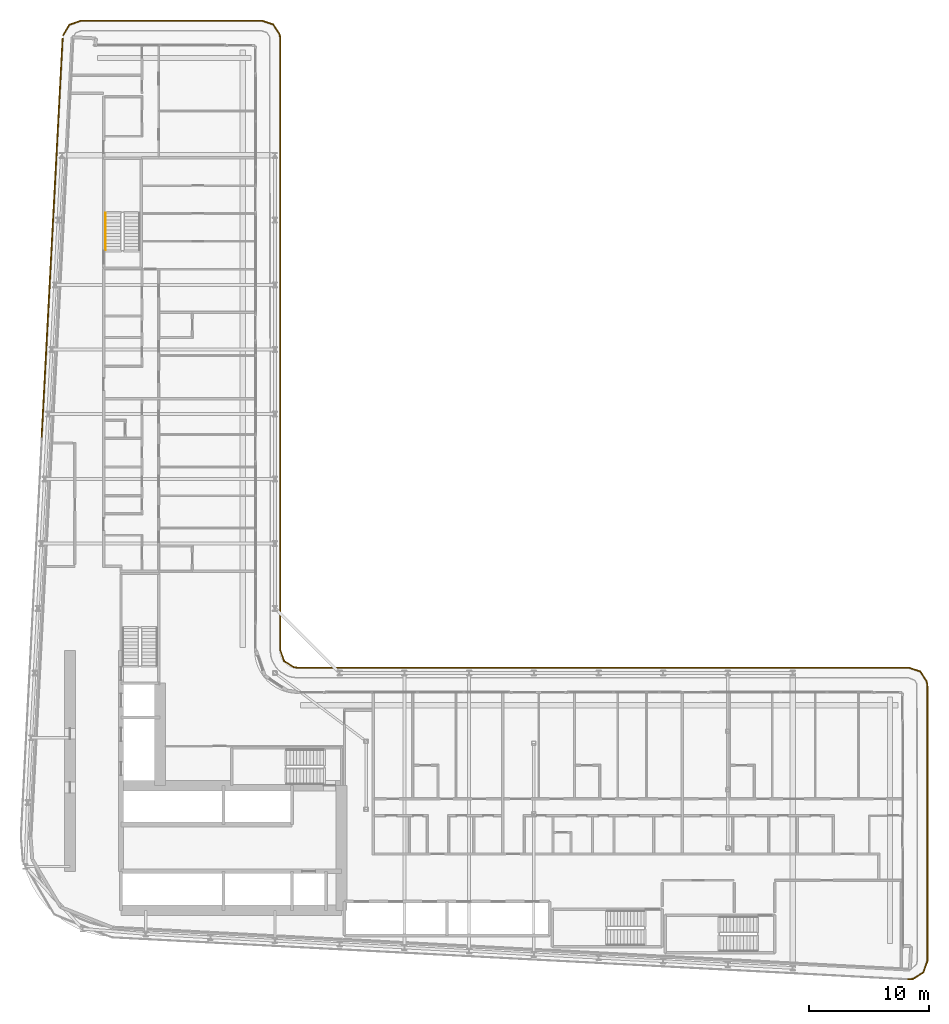
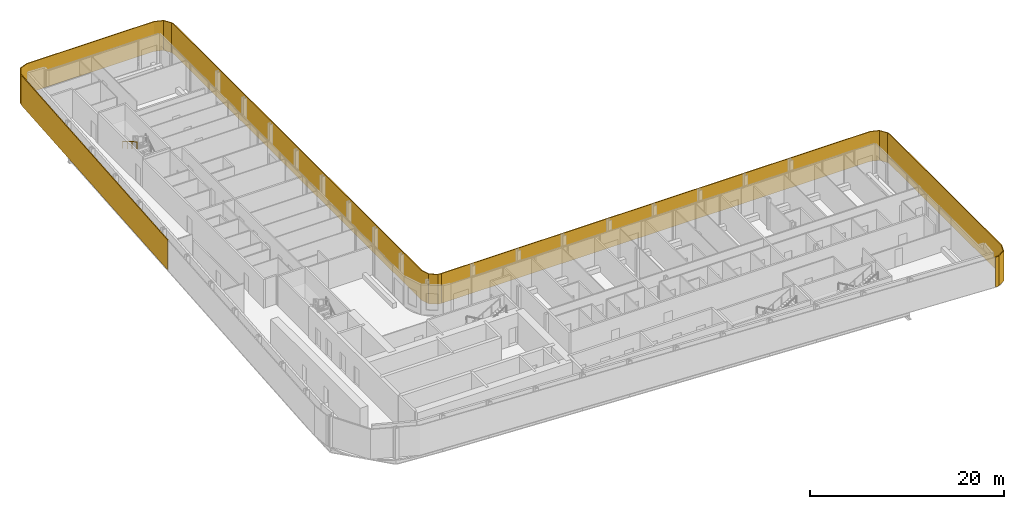
# One storey, part 27 of 29: 3 shading devices, 1 railing.
"""IFC4 building model written with IfcOpenShell, lengths in metres."""

from ifc_helpers import new_model, si_unit, direction, frame, origin, origin_2d, place, context, subcontext, project, spatial, polyline, rectangle, circle, outline, extrude, material, layer, layer_set, type_object, element, save


model = new_model("IFC4")

# Units and contexts
model_context = context("Model", 3, precision=1e-05, world=origin(), true_north=direction((0.0, 1.0)))
body_context = subcontext(model_context, "Body", "Model", "MODEL_VIEW")
ifc_project = project(units=[si_unit("LENGTHUNIT", "METRE"), si_unit("AREAUNIT", "SQUARE_METRE"), si_unit("VOLUMEUNIT", "CUBIC_METRE"), si_unit("PLANEANGLEUNIT", "RADIAN"), si_unit("MASSUNIT", "GRAM", prefix="KILO")], contexts=[model_context])

# Site, building, storey
site_placement = place(None, origin())
site = spatial("IfcSite", under=ifc_project, at=site_placement, CompositionType="ELEMENT")
building_placement = place(site_placement, origin())
building = spatial("IfcBuilding", under=site, at=building_placement, Name="Kheshtan School and Residences Tower", CompositionType="ELEMENT")
storey_placement = place(building_placement, frame((0.0, 0.0, 117.5)))
storey = spatial("IfcBuildingStorey", under=building, at=storey_placement, Name="L27", CompositionType="ELEMENT", Elevation=117.5)

# Shading devices
ifc_material_1 = material(Name="Terracotta baguette, extruded ceramic", Category="masonry")
ifc_layer_1 = layer(ifc_material_1, 0.10009765625)
ifc_layer_set_1 = layer_set([ifc_layer_1], Name="Ledge screen, terracotta baguettes")
shading_device_type_1 = type_object("IfcShadingDeviceType", Name="Ledge screen, terracotta baguettes", PredefinedType="USERDEFINED", material=ifc_layer_set_1)
shading_device_1_placement = place(storey_placement, frame((28.9990234375, 81.93408203125, 0.0), z_axis=(0.0, 0.0, 1.0), x_axis=(0.052562536748, 0.998617634398, 0.0)))
element("IfcShadingDevice", 1, at=shading_device_1_placement, inside=storey, type_object=shading_device_type_1, Name="Screen L27 5", ObjectType="BAGUETTE", PredefinedType="USERDEFINED", context=body_context, shape_type="SweptSolid", body=[
    extrude(rectangle(XDim=33.341064453125, YDim=0.10009765625, at=origin_2d()), origin(), (0.0, 0.0, 1.0), 3.75),
])
ifc_material_2 = material(Name="Terracotta lattice, extruded ceramic", Category="masonry")
ifc_layer_2 = layer(ifc_material_2, 0.10009765625)
ifc_layer_set_2 = layer_set([ifc_layer_2], Name="Loggia screen, terracotta lattice")
shading_device_type_2 = type_object("IfcShadingDeviceType", Name="Loggia screen, terracotta lattice", PredefinedType="USERDEFINED", material=ifc_layer_set_2)
shading_device_2_placement = place(storey_placement, origin())
element("IfcShadingDevice", 2, at=shading_device_2_placement, inside=storey, type_object=shading_device_type_2, Name="Screen L27 1", ObjectType="SCREEN", PredefinedType="USERDEFINED", context=body_context, shape_type="SweptSolid", body=[
    extrude(outline(polyline([(29.949951171875, 98.783935546875), (30.468017578125, 99.656982421875), (31.423095703125, 100.0), (46.5, 100.0), (47.4130859375, 99.68994140625), (47.948974609375, 98.887939453125), (48.0, 98.5), (48.0, 47.5), (48.31005859375, 46.5869140625), (49.112060546875, 46.051025390625), (49.5, 46.0), (49.512939453125, 46.09912109375), (49.14794921875, 46.14697265625), (48.39404296875, 46.65087890625), (48.10009765625, 47.51708984375), (48.10009765625, 98.507080078125), (48.044921875, 98.924072265625), (47.47705078125, 99.77392578125), (46.51708984375, 100.10009765625), (31.406005859375, 100.10009765625), (30.39990234375, 99.739013671875), (29.864013671875, 98.8349609375), (29.949951171875, 98.783935546875)])), origin(), (0.0, 0.0, 1.0), 3.75),
])
shading_device_3_placement = place(storey_placement, origin())
element("IfcShadingDevice", 3, at=shading_device_3_placement, inside=storey, type_object=shading_device_type_2, Name="Screen L27 2", ObjectType="SCREEN", PredefinedType="USERDEFINED", context=body_context, shape_type="SweptSolid", body=[
    extrude(outline(polyline([(49.5, 46.0), (100.5, 46.0), (101.4130859375, 45.68994140625), (101.948974609375, 44.887939453125), (102.0, 44.5), (102.0, 21.5810546875), (101.669921875, 20.64208984375), (100.823974609375, 20.116943359375), (100.4208984375, 20.0830078125), (100.428955078125, 19.98291015625), (100.85595703125, 20.01904296875), (101.7529296875, 20.575927734375), (102.10009765625, 21.56396484375), (102.10009765625, 44.507080078125), (102.044921875, 44.924072265625), (101.47705078125, 45.77392578125), (100.51708984375, 46.10009765625), (49.5, 46.10009765625), (49.5, 46.0)])), origin(), (0.0, 0.0, 1.0), 3.75),
])

# Railing
ifc_material_3 = material(Name="Stainless steel handrail", Category="steel")
railing_type = type_object("IfcRailingType", Name="Stair handrail 900", PredefinedType="HANDRAIL", material=ifc_material_3)
railing_placement = place(storey_placement, frame((33.449951171875, 83.97998046875, 2.112548828125)))
element("IfcRailing", 4, at=railing_placement, inside=storey, type_object=railing_type, Name="L27 ST3 stair handrail 2", PredefinedType="HANDRAIL", context=body_context, shape_type="SweptSolid", body=[
    extrude(circle(Radius=0.02392578125, at=origin_2d()), frame((0.0, 0.0, 0.8759765625), z_axis=(0.0, -0.864920483161, 0.501908913857), x_axis=(1.0, 0.0, 0.0)), (0.0, 0.0, 1.0), 3.56103515625),
    extrude(circle(Radius=0.02099609375, at=origin_2d()), origin(), (0.0, 0.0, 1.0), 0.851806640625),
    extrude(circle(Radius=0.02099609375, at=origin_2d()), frame((0.0, -1.026611328125, 0.595703125)), (0.0, 0.0, 1.0), 0.851806640625),
    extrude(circle(Radius=0.02099609375, at=origin_2d()), frame((0.0, -2.053466796875, 1.191650390625)), (0.0, 0.0, 1.0), 0.851806640625),
    extrude(circle(Radius=0.02099609375, at=origin_2d()), frame((0.0, -3.080078125, 1.787353515625)), (0.0, 0.0, 1.0), 0.851806640625),
])

save(model, "model.ifc")
